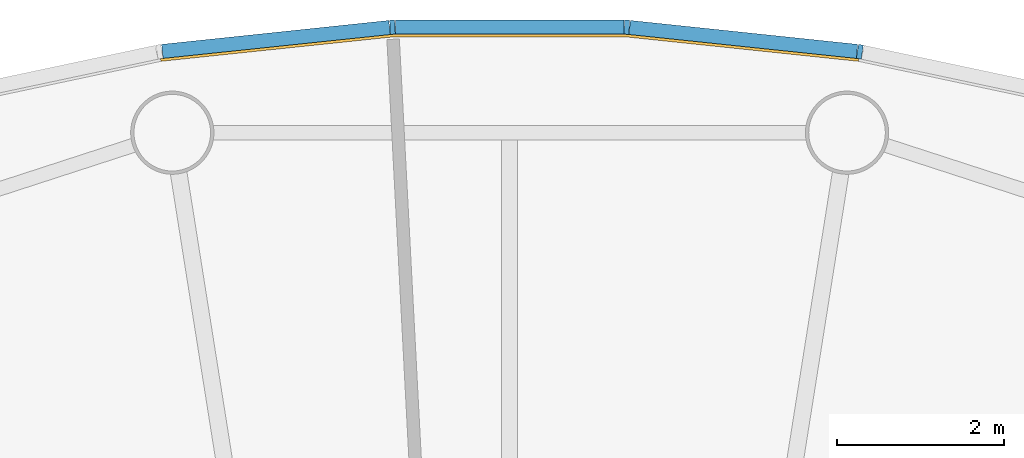
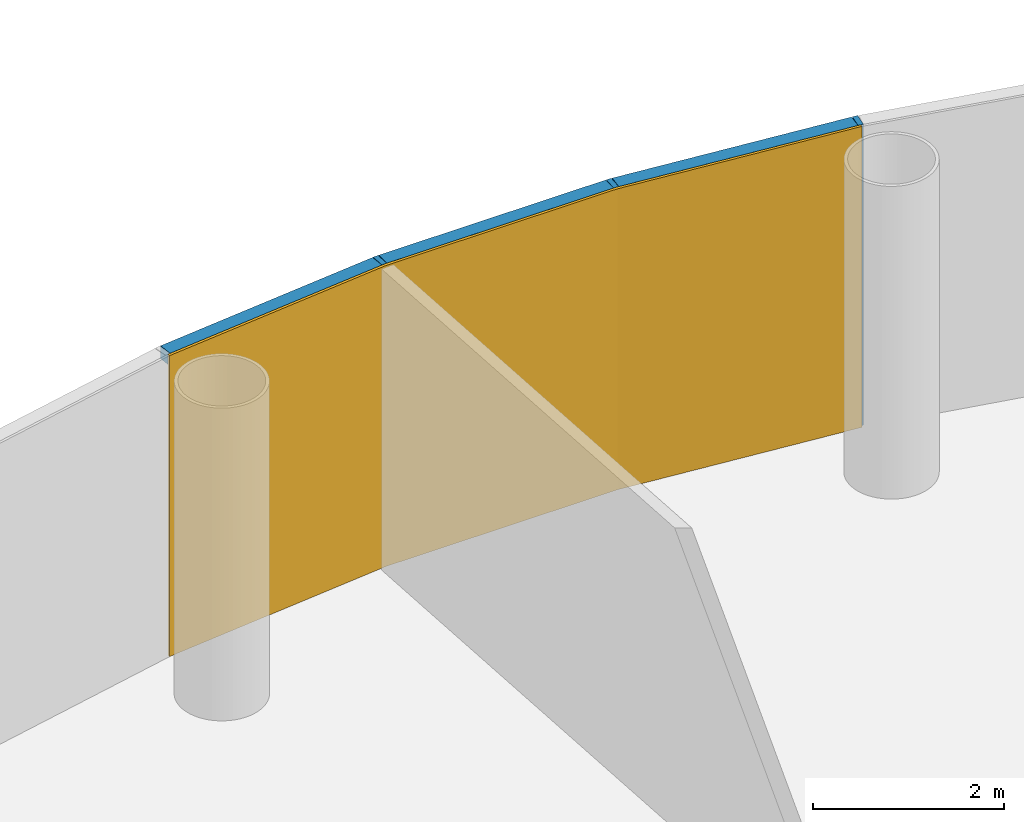
# One storey, part 10 of 12: 6 members, 1 curtain wall.
"""IFC4 building model written with IfcOpenShell, lengths in metres."""

from ifc_helpers import new_model, si_unit, direction, frame, origin, origin_2d, place, context, subcontext, project, spatial, polyline, rectangle, outline, extrude, material, layer, layer_set, material_profile, profile_set, type_object, element, aggregate, save


model = new_model("IFC4")

# Units and contexts
model_context = context("Model", 3, precision=1e-05, world=origin(), true_north=direction((0.0, 1.0)))
body_context = subcontext(model_context, "Body", "Model", "MODEL_VIEW")
ifc_project = project(units=[si_unit("LENGTHUNIT", "METRE"), si_unit("AREAUNIT", "SQUARE_METRE"), si_unit("VOLUMEUNIT", "CUBIC_METRE"), si_unit("PLANEANGLEUNIT", "RADIAN"), si_unit("MASSUNIT", "GRAM", prefix="KILO")], contexts=[model_context])

# Member
ifc_material_1 = material(Name="Anodised aluminium", Category="aluminium")
ifc_material_profile_1 = material_profile(ifc_material_1, rectangle(XDim=0.06005859375, YDim=0.169921875, at=origin_2d()), Name="Mullion 60 x 170 mm anodised aluminium")
ifc_profile_set_1 = profile_set([ifc_material_profile_1], Name="Anodised aluminium")
member_type_1 = type_object("IfcMemberType", Name="Mullion 60 x 170 mm anodised aluminium", PredefinedType="MULLION", material=ifc_profile_set_1)
site_placement = place(None, origin())
building_placement = place(site_placement, origin())
storey_placement = place(building_placement, frame((0.0, 0.0, 242.0)))
member_1_placement = place(storey_placement, frame((94.205810546875, 106.553955078125, 0.0), z_axis=(0.0, 0.0, 1.0), x_axis=(-0.987688340595, 0.15643446504, 0.0)))
member_1 = element("IfcMember", 1, at=member_1_placement, type_object=member_type_1, Name="MULLION L55-12", PredefinedType="MULLION", context=body_context, shape_type="SweptSolid", body=[
    extrude(rectangle(XDim=0.06005859375, YDim=0.169921875, at=origin_2d()), origin(), (0.0, 0.0, 1.0), 3.85009765625),
])

member_2_placement = place(storey_placement, frame((91.406982421875, 106.84814453125, 0.0), z_axis=(0.0, 0.0, 1.0), x_axis=(-0.998629534755, 0.052335956243, 0.0)))
member_2 = element("IfcMember", 2, at=member_2_placement, type_object=member_type_1, Name="MULLION L55-13", PredefinedType="MULLION", context=body_context, shape_type="SweptSolid", body=[
    extrude(rectangle(XDim=0.06005859375, YDim=0.169921875, at=origin_2d()), origin(), (0.0, 0.0, 1.0), 3.85009765625),
])

member_3_placement = place(storey_placement, frame((88.593017578125, 106.84814453125, 0.0), z_axis=(0.0, 0.0, 1.0), x_axis=(-0.998629534755, -0.052335956243, 0.0)))
member_3 = element("IfcMember", 3, at=member_3_placement, type_object=member_type_1, Name="MULLION L55-14", PredefinedType="MULLION", context=body_context, shape_type="SweptSolid", body=[
    extrude(rectangle(XDim=0.06005859375, YDim=0.169921875, at=origin_2d()), origin(), (0.0, 0.0, 1.0), 3.85009765625),
])

ifc_material_2 = material(Name="Anodised aluminium", Category="aluminium")
ifc_material_profile_2 = material_profile(ifc_material_2, rectangle(XDim=0.169921875, YDim=0.1650390625, at=origin_2d()), Name="Transom 165 x 170 mm anodised aluminium")
ifc_profile_set_2 = profile_set([ifc_material_profile_2], Name="Anodised aluminium")
member_type_2 = type_object("IfcMemberType", Name="Transom 165 x 170 mm anodised aluminium", PredefinedType="USERDEFINED", material=ifc_profile_set_2)
member_4_placement = place(storey_placement, frame((94.17138671875, 106.5576171875, 3.767578125), z_axis=(-0.994515195344, 0.104592190102, 0.0), x_axis=(-0.104592190102, -0.994515195344, 0.0)))
member_4 = element("IfcMember", 4, at=member_4_placement, type_object=member_type_2, Name="TRANSOM L55-12", ObjectType="TRANSOM", PredefinedType="USERDEFINED", context=body_context, shape_type="SweptSolid", body=[
    extrude(rectangle(XDim=0.169921875, YDim=0.1650390625, at=origin_2d()), origin(), (0.0, 0.0, 1.0), 2.7451171875),
])

member_5_placement = place(storey_placement, frame((91.37255859375, 106.848388671875, 3.767578125), z_axis=(-1.0, 0.0, 0.0), x_axis=(0.0, -1.0, 0.0)))
member_5 = element("IfcMember", 5, at=member_5_placement, type_object=member_type_2, Name="TRANSOM L55-13", ObjectType="TRANSOM", PredefinedType="USERDEFINED", context=body_context, shape_type="SweptSolid", body=[
    extrude(rectangle(XDim=0.169921875, YDim=0.1650390625, at=origin_2d()), origin(), (0.0, 0.0, 1.0), 2.7451171875),
])

member_6_placement = place(storey_placement, frame((88.55859375, 106.8447265625, 3.767578125), z_axis=(-0.994515195344, -0.104592190102, 0.0), x_axis=(0.104592190102, -0.994515195344, 0.0)))
member_6 = element("IfcMember", 6, at=member_6_placement, type_object=member_type_2, Name="TRANSOM L55-14", ObjectType="TRANSOM", PredefinedType="USERDEFINED", context=body_context, shape_type="SweptSolid", body=[
    extrude(rectangle(XDim=0.169921875, YDim=0.1650390625, at=origin_2d()), origin(), (0.0, 0.0, 1.0), 2.7451171875),
])

# Site, building, storey
site = spatial("IfcSite", under=ifc_project, at=site_placement, CompositionType="ELEMENT")
building = spatial("IfcBuilding", under=site, at=building_placement, Name="Entoto Ring Tower", CompositionType="ELEMENT")
storey = spatial("IfcBuildingStorey", under=building, at=storey_placement, Name="L55", CompositionType="ELEMENT", Elevation=242.0)

# Curtain wall
ifc_material_3 = material(Name="Clear low-iron glass", Category="glass")
ifc_layer = layer(ifc_material_3, 0.031982421875)
ifc_layer_set = layer_set([ifc_layer], Name="Clear low-iron glass")
curtain_wall_type = type_object("IfcCurtainWallType", Name="Curtain wall system CW4 glazing 32 mm", PredefinedType="NOTDEFINED", material=ifc_layer_set)
curtain_wall_placement = place(storey_placement, origin())
curtain_wall = element("IfcCurtainWall", 7, at=curtain_wall_placement, inside=storey, type_object=curtain_wall_type, Name="CW4 L55-05", PredefinedType="NOTDEFINED", context=body_context, shape_type="SweptSolid", body=[
    extrude(outline(polyline([(94.1923828125, 106.469970703125), (91.402587890625, 106.76318359375), (88.597412109375, 106.76318359375), (85.8076171875, 106.469970703125), (85.8125, 106.4384765625), (88.59912109375, 106.731201171875), (91.40087890625, 106.731201171875), (94.1875, 106.4384765625), (94.1923828125, 106.469970703125)])), origin(), (0.0, 0.0, 1.0), 3.85009765625),
])

aggregate(curtain_wall, [member_1, member_2, member_3, member_4, member_5, member_6])

save(model, "model.ifc")
